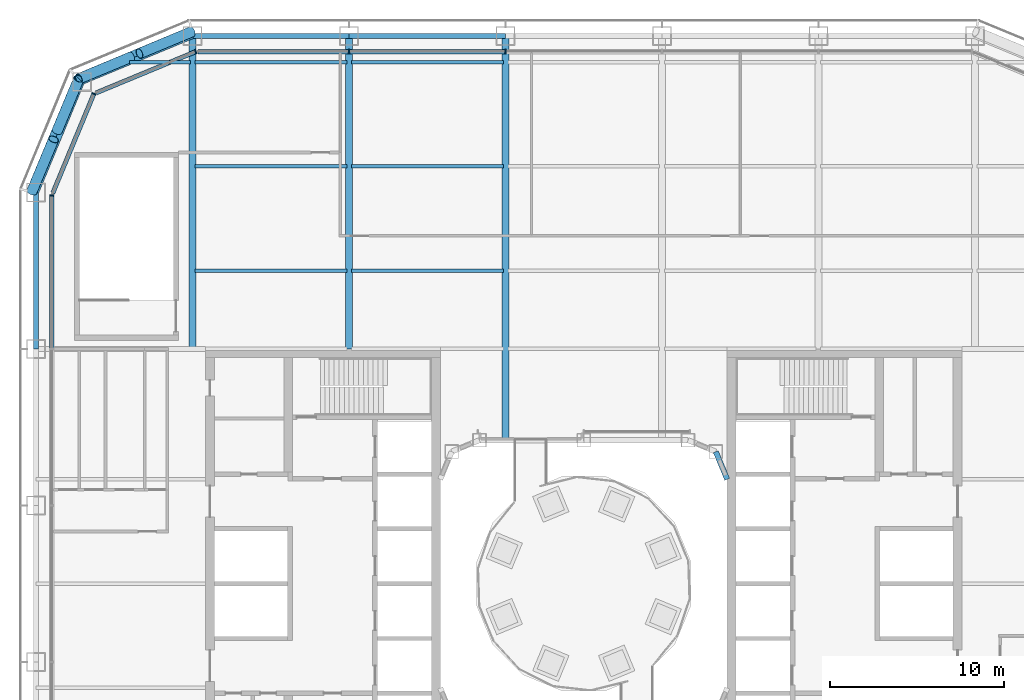
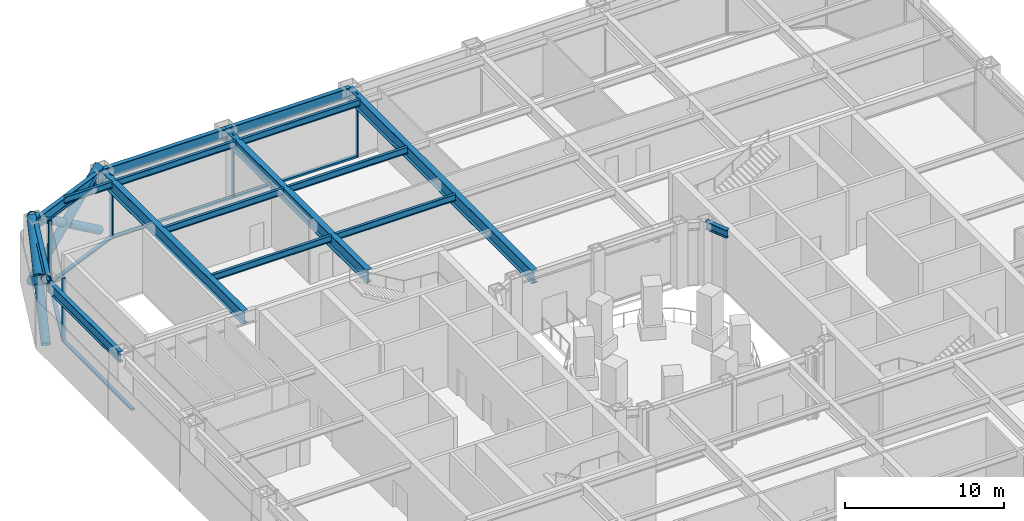
# One storey, part 7 of 25: 16 beams, 16 members, 4 elements without a shape of their own.
"""IFC4 building model written with IfcOpenShell, lengths in metres."""

from ifc_helpers import new_model, si_unit, direction, frame, origin, origin_2d, place, context, subcontext, project, spatial, rectangle, hollow_circle, i_section, extrude, material, layer, layer_set, material_profile, profile_set, type_object, element, aggregate, save


model = new_model("IFC4")

# Units and contexts
model_context = context("Model", 3, precision=1e-05, world=origin(), true_north=direction((0.0, 1.0)))
body_context = subcontext(model_context, "Body", "Model", "MODEL_VIEW")
ifc_project = project(units=[si_unit("LENGTHUNIT", "METRE"), si_unit("AREAUNIT", "SQUARE_METRE"), si_unit("VOLUMEUNIT", "CUBIC_METRE"), si_unit("PLANEANGLEUNIT", "RADIAN"), si_unit("MASSUNIT", "GRAM", prefix="KILO")], contexts=[model_context])

# Site, building, storey
site_placement = place(None, origin())
site = spatial("IfcSite", under=ifc_project, at=site_placement, CompositionType="ELEMENT")
building_placement = place(site_placement, origin())
building = spatial("IfcBuilding", under=site, at=building_placement, Name="Siwar Civic Tower", CompositionType="ELEMENT")
storey_placement = place(building_placement, frame((0.0, 0.0, 17.199951171875)))
storey = spatial("IfcBuildingStorey", under=building, at=storey_placement, Name="L03", CompositionType="ELEMENT", Elevation=17.199951171875)

# Curtain wall, members
ifc_material_1 = material(Name="Aluminium and glass", Category="aluminium")
ifc_layer_1 = layer(ifc_material_1, 0.25)
ifc_layer_set_1 = layer_set([ifc_layer_1], Name="Aluminium and glass")
curtain_wall_type_1 = type_object("IfcCurtainWallType", Name="ENV-CW-H", PredefinedType="NOTDEFINED", material=ifc_layer_set_1)
curtain_wall_1_placement = place(storey_placement, origin())
curtain_wall_1 = element("IfcCurtainWall", 1, at=curtain_wall_1_placement, inside=storey, type_object=curtain_wall_type_1, Name="Curtain wall H N", PredefinedType="NOTDEFINED")
ifc_material_2 = material(Name="Aluminium 6063-T6", Category="aluminium")
ifc_material_profile_1 = material_profile(ifc_material_2, rectangle(XDim=0.25, YDim=0.080078125, at=origin_2d()), Name="AL 250x80")
ifc_profile_set_1 = profile_set([ifc_material_profile_1], Name="Aluminium 6063-T6")
member_type_1 = type_object("IfcMemberType", Name="ENV-MULLION-H", PredefinedType="MULLION", material=ifc_profile_set_1)
member_1_placement = place(storey_placement, frame((-4.5, 30.60009765625, 0.0), z_axis=(0.0, 0.0, 1.0), x_axis=(0.0, -1.0, 0.0)))
member_1 = element("IfcMember", 2, at=member_1_placement, type_object=member_type_1, Name="Mullion H N 4", PredefinedType="MULLION", context=body_context, shape_type="SweptSolid", body=[
    extrude(rectangle(XDim=0.25, YDim=0.080078125, at=origin_2d()), origin(), (0.0, 0.0, 1.0), 4.85009765625),
])
member_2_placement = place(storey_placement, frame((-13.5, 30.60009765625, 0.0), z_axis=(0.0, 0.0, 1.0), x_axis=(0.0, -1.0, 0.0)))
member_2 = element("IfcMember", 3, at=member_2_placement, type_object=member_type_1, Name="Mullion H N 5", PredefinedType="MULLION", context=body_context, shape_type="SweptSolid", body=[
    extrude(rectangle(XDim=0.25, YDim=0.080078125, at=origin_2d()), origin(), (0.0, 0.0, 1.0), 4.85009765625),
])

# Curtain wall, member
ifc_material_3 = material(Name="Aluminium clad insulated panel", Category="aluminium")
ifc_layer_2 = layer(ifc_material_3, 0.25)
ifc_layer_set_2 = layer_set([ifc_layer_2], Name="Aluminium clad insulated panel")
curtain_wall_type_2 = type_object("IfcCurtainWallType", Name="ENV-CW-HX", PredefinedType="NOTDEFINED", material=ifc_layer_set_2)
curtain_wall_2_placement = place(storey_placement, origin())
curtain_wall_2 = element("IfcCurtainWall", 4, at=curtain_wall_2_placement, inside=storey, type_object=curtain_wall_type_2, Name="Curtain wall H NW1", PredefinedType="NOTDEFINED")
member_3_placement = place(storey_placement, frame((-22.321044921875, 30.60009765625, 0.0), z_axis=(0.0, 0.0, 1.0), x_axis=(0.382683432365, -0.923879532511, 0.0)))
member_3 = element("IfcMember", 5, at=member_3_placement, type_object=member_type_1, Name="Mullion H NW1 1", PredefinedType="MULLION", context=body_context, shape_type="SweptSolid", body=[
    extrude(rectangle(XDim=0.25, YDim=0.080078125, at=origin_2d()), origin(), (0.0, 0.0, 1.0), 4.85009765625),
])

curtain_wall_3_placement = place(storey_placement, origin())
curtain_wall_3 = element("IfcCurtainWall", 6, at=curtain_wall_3_placement, inside=storey, type_object=curtain_wall_type_2, Name="Curtain wall H NW2", PredefinedType="NOTDEFINED")
member_4_placement = place(storey_placement, frame((-28.175048828125, 28.175048828125, 0.0), z_axis=(0.0, 0.0, 1.0), x_axis=(0.923879532511, -0.382683432365, 0.0)))
member_4 = element("IfcMember", 7, at=member_4_placement, type_object=member_type_1, Name="Mullion H NW2 1", PredefinedType="MULLION", context=body_context, shape_type="SweptSolid", body=[
    extrude(rectangle(XDim=0.25, YDim=0.080078125, at=origin_2d()), origin(), (0.0, 0.0, 1.0), 4.85009765625),
])

curtain_wall_4_placement = place(storey_placement, origin())
curtain_wall_4 = element("IfcCurtainWall", 8, at=curtain_wall_4_placement, inside=storey, type_object=curtain_wall_type_1, Name="Curtain wall H W", PredefinedType="NOTDEFINED")
member_5_placement = place(storey_placement, frame((-30.60009765625, 22.321044921875, 0.0), z_axis=(0.0, 0.0, 1.0), x_axis=(1.0, 0.0, 0.0)))
member_5 = element("IfcMember", 9, at=member_5_placement, type_object=member_type_1, Name="Mullion H W 1", PredefinedType="MULLION", context=body_context, shape_type="SweptSolid", body=[
    extrude(rectangle(XDim=0.25, YDim=0.080078125, at=origin_2d()), origin(), (0.0, 0.0, 1.0), 4.85009765625),
])

# Member
ifc_material_4 = material(Name="Aluminium 6063-T6", Category="aluminium")
ifc_material_profile_2 = material_profile(ifc_material_4, rectangle(XDim=0.25, YDim=0.139892578125, at=origin_2d()), Name="AL 250x140")
ifc_profile_set_2 = profile_set([ifc_material_profile_2], Name="Aluminium 6063-T6")
member_type_2 = type_object("IfcMemberType", Name="ENV-TRANSOM-H", PredefinedType="USERDEFINED", material=ifc_profile_set_2)
member_6_placement = place(storey_placement, frame((-4.5400390625, 30.60009765625, 0.070068359375), z_axis=(-1.0, 0.0, 0.0), x_axis=(0.0, -1.0, 0.0)))
member_6 = element("IfcMember", 10, at=member_6_placement, type_object=member_type_2, Name="Transom H N 4", ObjectType="TRANSOM", PredefinedType="USERDEFINED", context=body_context, shape_type="SweptSolid", body=[
    extrude(rectangle(XDim=0.25, YDim=0.139892578125, at=origin_2d()), origin(), (0.0, 0.0, 1.0), 8.919921875),
])

member_7_placement = place(storey_placement, frame((-13.5400390625, 30.60009765625, 0.070068359375), z_axis=(-1.0, 0.0, 0.0), x_axis=(0.0, -1.0, 0.0)))
member_7 = element("IfcMember", 11, at=member_7_placement, type_object=member_type_2, Name="Transom H N 5", ObjectType="TRANSOM", PredefinedType="USERDEFINED", context=body_context, shape_type="SweptSolid", body=[
    extrude(rectangle(XDim=0.25, YDim=0.139892578125, at=origin_2d()), origin(), (0.0, 0.0, 1.0), 8.644287109375),
])

aggregate(curtain_wall_1, [member_1, member_2, member_6, member_7])

member_8_placement = place(storey_placement, frame((-22.35791015625, 30.584716796875, 0.070068359375), z_axis=(-0.92388399052, -0.382672669604, 0.0), x_axis=(0.382672669604, -0.92388399052, 0.0)))
member_8 = element("IfcMember", 12, at=member_8_placement, type_object=member_type_2, Name="Transom H NW1 1", ObjectType="TRANSOM", PredefinedType="USERDEFINED", context=body_context, shape_type="SweptSolid", body=[
    extrude(rectangle(XDim=0.25, YDim=0.139892578125, at=origin_2d()), origin(), (0.0, 0.0, 1.0), 6.15966796875),
])

aggregate(curtain_wall_2, [member_3, member_8])

member_9_placement = place(storey_placement, frame((-28.1904296875, 28.13818359375, 0.070068359375), z_axis=(-0.382672669604, -0.92388399052, 0.0), x_axis=(0.92388399052, -0.382672669604, 0.0)))
member_9 = element("IfcMember", 13, at=member_9_placement, type_object=member_type_2, Name="Transom H NW2 1", ObjectType="TRANSOM", PredefinedType="USERDEFINED", context=body_context, shape_type="SweptSolid", body=[
    extrude(rectangle(XDim=0.25, YDim=0.139892578125, at=origin_2d()), origin(), (0.0, 0.0, 1.0), 6.15966796875),
])

aggregate(curtain_wall_3, [member_4, member_9])

member_10_placement = place(storey_placement, frame((-30.60009765625, 22.281005859375, 0.070068359375), z_axis=(0.0, -1.0, 0.0), x_axis=(1.0, 0.0, 0.0)))
member_10 = element("IfcMember", 14, at=member_10_placement, type_object=member_type_2, Name="Transom H W 1", ObjectType="TRANSOM", PredefinedType="USERDEFINED", context=body_context, shape_type="SweptSolid", body=[
    extrude(rectangle(XDim=0.25, YDim=0.139892578125, at=origin_2d()), origin(), (0.0, 0.0, 1.0), 8.740966796875),
])

aggregate(curtain_wall_4, [member_5, member_10])

# Members
ifc_material_5 = material(Name="Steel S355", Category="steel")
ifc_material_profile_3 = material_profile(ifc_material_5, hollow_circle(Radius=0.304931640625, WallThickness=0.030029296875, at=origin_2d()), Name="CHS610x30")
ifc_profile_set_3 = profile_set([ifc_material_profile_3], Name="Steel S355")
member_type_3 = type_object("IfcMemberType", Name="STR-BR-CHS610x30", PredefinedType="BRACE", material=ifc_profile_set_3)
member_11_placement = place(storey_placement, frame((-29.040771484375, 29.040771484375, 0.0), z_axis=(-0.313403721941, -0.752344350468, 0.579444635312), x_axis=(0.923108759191, -0.384538969033, 0.0)))
element("IfcMember", 15, at=member_11_placement, inside=storey, type_object=member_type_3, Name="L03/brc/ANW1-2-0-1", PredefinedType="BRACE", context=body_context, shape_type="SweptSolid", body=[
    extrude(hollow_circle(Radius=0.304931640625, WallThickness=0.030029296875, at=origin_2d()), origin(), (0.0, 0.0, 1.0), 8.62890625),
])
for number, where, z_axis, x_axis, name in (
    (16, (-31.7451171875, 22.548828125, 0.0), (0.313373422739, 0.752340560323, 0.5794659431), (-0.923121267833, 0.384508939914, 0.0), "L03/brc/ANW1-2-0-2"),
    (17, (-30.293212890625, 26.033935546875, 2.684326171875), (0.313384515382, 0.752367191316, 0.57942536616), (-0.923121267833, 0.384508939914, 0.0), "L03/brc/ANW1-2-0-3"),
):
    element("IfcMember", number, at=place(storey_placement, frame(where, z_axis=z_axis, x_axis=x_axis)), inside=storey, type_object=member_type_3, Name=name, PredefinedType="BRACE", context=body_context, shape_type="SweptSolid", body=[
        extrude(hollow_circle(Radius=0.304931640625, WallThickness=0.030029296875, at=origin_2d()), origin(), (0.0, 0.0, 1.0), 3.99658203125),
    ])
member_12_placement = place(storey_placement, frame((-29.040771484375, 29.040771484375, 0.0), z_axis=(0.752344350468, 0.313403721941, 0.579444635312), x_axis=(-0.384538969033, 0.923108759191, 0.0)))
element("IfcMember", 18, at=member_12_placement, inside=storey, type_object=member_type_3, Name="L03/brc/ANW1-2-0-0", PredefinedType="BRACE", context=body_context, shape_type="SweptSolid", body=[
    extrude(hollow_circle(Radius=0.304931640625, WallThickness=0.030029296875, at=origin_2d()), origin(), (0.0, 0.0, 1.0), 8.62890625),
])
for number, where, z_axis, x_axis, name in (
    (19, (-22.548828125, 31.7451171875, 0.0), (-0.752340560323, -0.313373422739, 0.5794659431), (0.384508939914, -0.923121267833, 0.0), "L03/brc/ANW1-2-0-4"),
    (20, (-26.033935546875, 30.293212890625, 2.684326171875), (-0.752367191316, -0.313384515382, 0.57942536616), (0.384508939914, -0.923121267833, 0.0), "L03/brc/ANW1-2-0-5"),
):
    element("IfcMember", number, at=place(storey_placement, frame(where, z_axis=z_axis, x_axis=x_axis)), inside=storey, type_object=member_type_3, Name=name, PredefinedType="BRACE", context=body_context, shape_type="SweptSolid", body=[
        extrude(hollow_circle(Radius=0.304931640625, WallThickness=0.030029296875, at=origin_2d()), origin(), (0.0, 0.0, 1.0), 3.99658203125),
    ])

# Beams
ifc_material_6 = material(Name="Steel S355", Category="steel")
ifc_material_profile_4 = material_profile(ifc_material_6, i_section(OverallWidth=0.199951171875, OverallDepth=0.5, WebThickness=0.01025390625, FlangeThickness=0.01611328125, FilletRadius=0.02099609375, at=origin_2d()), Name="IPE500")
ifc_profile_set_4 = profile_set([ifc_material_profile_4], Name="Steel S355")
beam_type_1 = type_object("IfcBeamType", Name="STR-FB-IPE500", PredefinedType="JOIST", material=ifc_profile_set_4)
for number, where, z_axis, x_axis, name in (
    (21, (-22.3701171875, 18.0, 4.60009765625), (1.0, 0.0, 0.0), (0.0, 1.0, 0.0), "L03/bm/F044"),
    (22, (-13.3701171875, 18.0, 4.60009765625), (1.0, 0.0, 0.0), (0.0, 1.0, 0.0), "L03/bm/F045"),
    (23, (-22.3701171875, 24.0, 4.60009765625), (1.0, 0.0, 0.0), (0.0, 1.0, 0.0), "L03/bm/F050"),
    (24, (-13.3701171875, 24.0, 4.60009765625), (1.0, 0.0, 0.0), (0.0, 1.0, 0.0), "L03/bm/F051"),
):
    element("IfcBeam", number, at=place(storey_placement, frame(where, z_axis=z_axis, x_axis=x_axis)), inside=storey, type_object=beam_type_1, Name=name, PredefinedType="JOIST", context=body_context, shape_type="SweptSolid", body=[
        extrude(i_section(OverallWidth=0.199951171875, OverallDepth=0.5, WebThickness=0.01025390625, FlangeThickness=0.01611328125, FilletRadius=0.02099609375, at=origin_2d()), origin(), (0.0, 0.0, 1.0), 8.740234375),
    ])
beam_1_placement = place(storey_placement, frame((-26.121337890625, 30.0, 4.60009765625), z_axis=(1.0, 0.0, 0.0), x_axis=(0.0, 1.0, 0.0)))
element("IfcBeam", 25, at=beam_1_placement, inside=storey, type_object=beam_type_1, Name="L03/bm/F056", PredefinedType="JOIST", context=body_context, shape_type="SweptSolid", body=[
    extrude(i_section(OverallWidth=0.199951171875, OverallDepth=0.5, WebThickness=0.01025390625, FlangeThickness=0.01611328125, FilletRadius=0.02099609375, at=origin_2d()), origin(), (0.0, 0.0, 1.0), 3.491455078125),
])
for number, where, z_axis, x_axis, name in (
    (26, (-22.3701171875, 30.0, 4.60009765625), (1.0, 0.0, 0.0), (0.0, 1.0, 0.0), "L03/bm/F057"),
    (27, (-13.3701171875, 30.0, 4.60009765625), (1.0, 0.0, 0.0), (0.0, 1.0, 0.0), "L03/bm/F058"),
):
    element("IfcBeam", number, at=place(storey_placement, frame(where, z_axis=z_axis, x_axis=x_axis)), inside=storey, type_object=beam_type_1, Name=name, PredefinedType="JOIST", context=body_context, shape_type="SweptSolid", body=[
        extrude(i_section(OverallWidth=0.199951171875, OverallDepth=0.5, WebThickness=0.01025390625, FlangeThickness=0.01611328125, FilletRadius=0.02099609375, at=origin_2d()), origin(), (0.0, 0.0, 1.0), 8.740234375),
    ])
ifc_material_7 = material(Name="Steel S355", Category="steel")
ifc_material_profile_5 = material_profile(ifc_material_7, i_section(OverallWidth=0.39990234375, OverallDepth=1.0, WebThickness=0.01611328125, FlangeThickness=0.0400390625, at=origin_2d()), Name="PG1000x400x16x40")
ifc_profile_set_5 = profile_set([ifc_material_profile_5], Name="Steel S355")
beam_type_2 = type_object("IfcBeamType", Name="STR-PG-PG1000x400x16x40", PredefinedType="BEAM", material=ifc_profile_set_5)
for number, where, z_axis, x_axis, name in (
    (28, (-22.5, 13.5, 4.35009765625), (0.0, 1.0, 0.0), (-1.0, 0.0, 0.0), "L03/bm/G02"),
    (29, (-13.5, 13.5, 4.35009765625), (0.0, 1.0, 0.0), (-1.0, 0.0, 0.0), "L03/bm/G04"),
):
    element("IfcBeam", number, at=place(storey_placement, frame(where, z_axis=z_axis, x_axis=x_axis)), inside=storey, type_object=beam_type_2, Name=name, PredefinedType="BEAM", context=body_context, shape_type="SweptSolid", body=[
        extrude(i_section(OverallWidth=0.39990234375, OverallDepth=1.0, WebThickness=0.01611328125, FlangeThickness=0.0400390625, at=origin_2d()), origin(), (0.0, 0.0, 1.0), 18.0),
    ])
beam_2_placement = place(storey_placement, frame((-4.5, 8.25, 4.35009765625), z_axis=(0.0, 1.0, 0.0), x_axis=(-1.0, 0.0, 0.0)))
element("IfcBeam", 30, at=beam_2_placement, inside=storey, type_object=beam_type_2, Name="L03/bm/G06", PredefinedType="BEAM", context=body_context, shape_type="SweptSolid", body=[
    extrude(i_section(OverallWidth=0.39990234375, OverallDepth=1.0, WebThickness=0.01611328125, FlangeThickness=0.0400390625, at=origin_2d()), origin(), (0.0, 0.0, 1.0), 23.25),
])
ifc_material_8 = material(Name="Steel S355", Category="steel")
ifc_material_profile_6 = material_profile(ifc_material_8, i_section(OverallWidth=0.304931640625, OverallDepth=0.6201171875, WebThickness=0.02099609375, FlangeThickness=0.0400390625, FilletRadius=0.027099609375, at=origin_2d()), Name="HEM600")
ifc_profile_set_6 = profile_set([ifc_material_profile_6], Name="Steel S355")
beam_type_3 = type_object("IfcBeamType", Name="STR-RB-HEM600", PredefinedType="BEAM", material=ifc_profile_set_6)
beam_3_placement = place(storey_placement, frame((7.591064453125, 7.591064453125, 4.5400390625), z_axis=(0.382631424892, -0.923901072997, 0.0), x_axis=(0.923901072997, 0.382631424892, 0.0)))
element("IfcBeam", 31, at=beam_3_placement, inside=storey, type_object=beam_type_3, Name="L03/bm/RNEE", PredefinedType="BEAM", context=body_context, shape_type="SweptSolid", body=[
    extrude(i_section(OverallWidth=0.304931640625, OverallDepth=0.6201171875, WebThickness=0.02099609375, FlangeThickness=0.0400390625, FilletRadius=0.027099609375, at=origin_2d()), origin(), (0.0, 0.0, 1.0), 1.72216796875),
])
ifc_material_9 = material(Name="Steel S355", Category="steel")
ifc_material_profile_7 = material_profile(ifc_material_9, i_section(OverallWidth=0.302978515625, OverallDepth=0.81396484375, WebThickness=0.02099609375, FlangeThickness=0.0400390625, FilletRadius=0.030029296875, at=origin_2d()), Name="HEM800")
ifc_profile_set_7 = profile_set([ifc_material_profile_7], Name="Steel S355")
beam_type_4 = type_object("IfcBeamType", Name="STR-SB-HEM800", PredefinedType="BEAM", material=ifc_profile_set_7)
for number, where, z_axis, x_axis, name in (
    (32, (-4.5, 31.5, 4.443115234375), (-1.0, 0.0, 0.0), (0.0, -1.0, 0.0), "L03/bm/SN-3"),
    (33, (-13.5, 31.5, 4.443115234375), (-1.0, 0.0, 0.0), (0.0, -1.0, 0.0), "L03/bm/SN-4"),
):
    element("IfcBeam", number, at=place(storey_placement, frame(where, z_axis=z_axis, x_axis=x_axis)), inside=storey, type_object=beam_type_4, Name=name, PredefinedType="BEAM", context=body_context, shape_type="SweptSolid", body=[
        extrude(i_section(OverallWidth=0.302978515625, OverallDepth=0.81396484375, WebThickness=0.02099609375, FlangeThickness=0.0400390625, FilletRadius=0.030029296875, at=origin_2d()), origin(), (0.0, 0.0, 1.0), 9.0),
    ])
for number, where, z_axis, x_axis, name in (
    (34, (-22.5, 31.5, 4.443115234375), (-0.923883353507, -0.382674207535, 0.0), (0.382674207535, -0.923883353507, 0.0), "L03/bm/SNW1-0"),
    (35, (-28.864013671875, 28.864013671875, 4.443115234375), (-0.382674207535, -0.923883353507, 0.0), (0.923883353507, -0.382674207535, 0.0), "L03/bm/SNW2-0"),
):
    element("IfcBeam", number, at=place(storey_placement, frame(where, z_axis=z_axis, x_axis=x_axis)), inside=storey, type_object=beam_type_4, Name=name, PredefinedType="BEAM", context=body_context, shape_type="SweptSolid", body=[
        extrude(i_section(OverallWidth=0.302978515625, OverallDepth=0.81396484375, WebThickness=0.02099609375, FlangeThickness=0.0400390625, FilletRadius=0.030029296875, at=origin_2d()), origin(), (0.0, 0.0, 1.0), 6.888427734375),
    ])
beam_4_placement = place(storey_placement, frame((-31.5, 22.5, 4.443115234375), z_axis=(0.0, -1.0, 0.0), x_axis=(1.0, 0.0, 0.0)))
element("IfcBeam", 36, at=beam_4_placement, inside=storey, type_object=beam_type_4, Name="L03/bm/SW-0", PredefinedType="BEAM", context=body_context, shape_type="SweptSolid", body=[
    extrude(i_section(OverallWidth=0.302978515625, OverallDepth=0.81396484375, WebThickness=0.02099609375, FlangeThickness=0.0400390625, FilletRadius=0.030029296875, at=origin_2d()), origin(), (0.0, 0.0, 1.0), 9.0),
])

save(model, "model.ifc")
